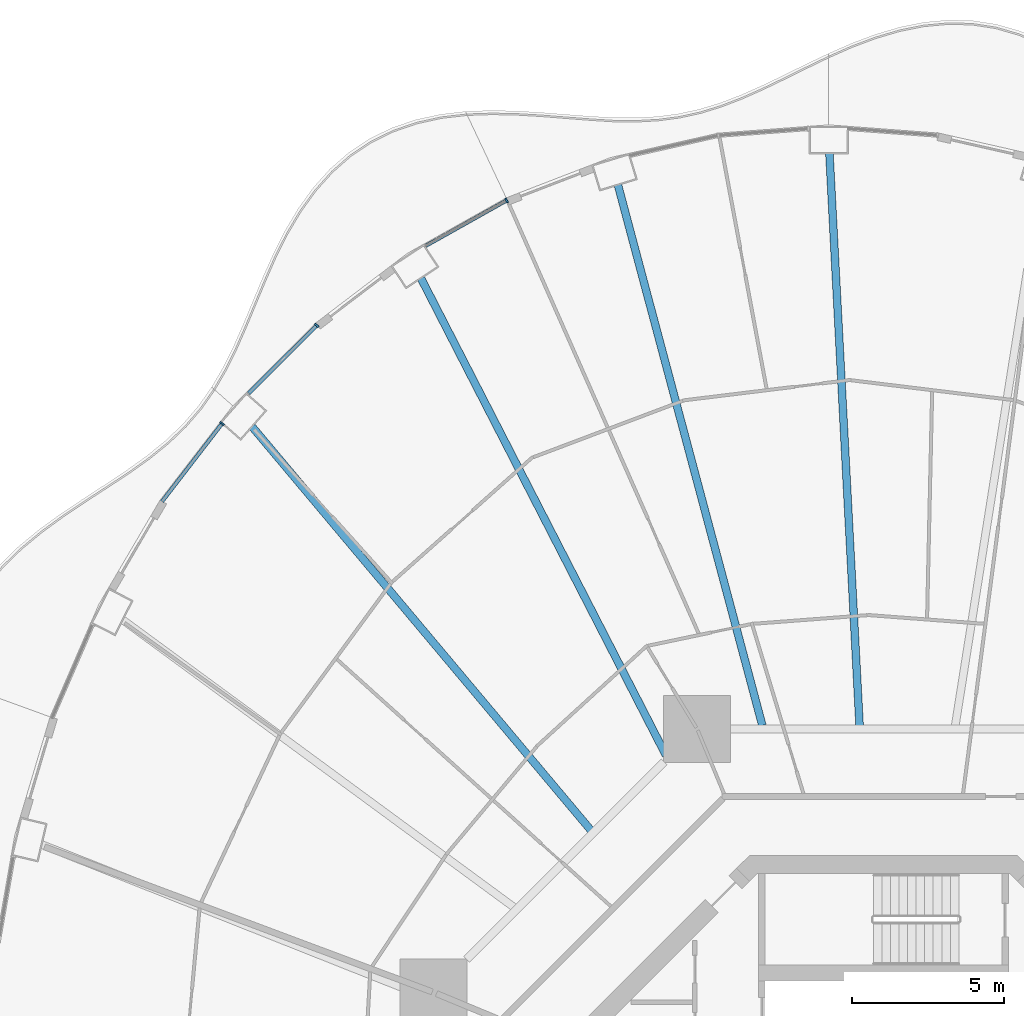
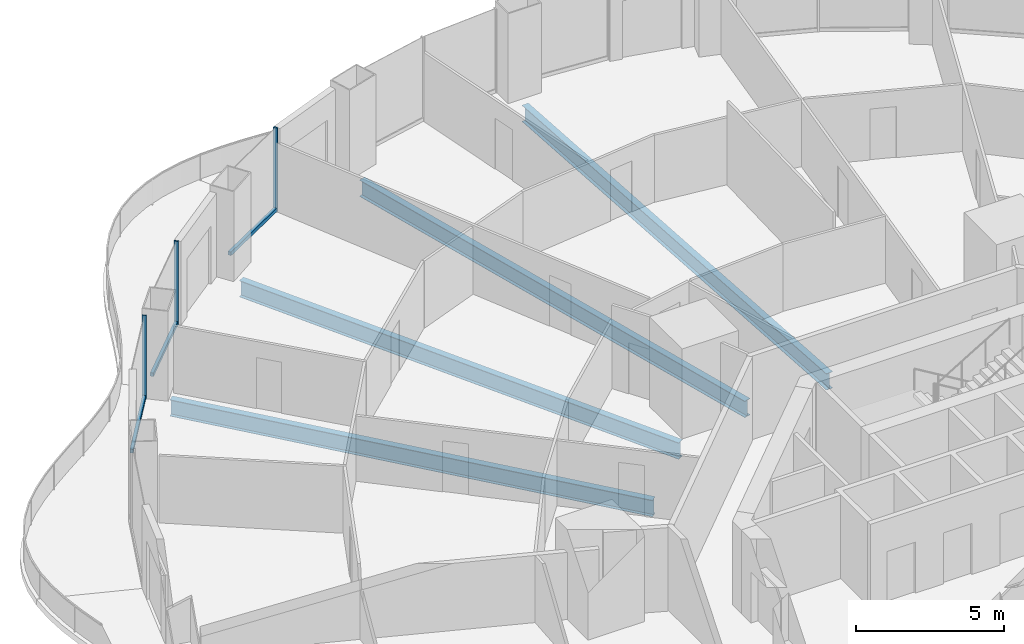
# One storey, part 8 of 22: 6 members, 4 beams, 3 elements without a shape of their own.
"""IFC4 building model written with IfcOpenShell, lengths in metres."""

from ifc_helpers import new_model, si_unit, direction, frame, origin, origin_2d, place, context, subcontext, project, spatial, rectangle, i_section, extrude, material, layer, layer_set, material_profile, profile_set, type_object, element, aggregate, save


model = new_model("IFC4")

# Units and contexts
model_context = context("Model", 3, precision=1e-05, world=origin(), true_north=direction((0.0, 1.0)))
body_context = subcontext(model_context, "Body", "Model", "MODEL_VIEW")
ifc_project = project(units=[si_unit("LENGTHUNIT", "METRE"), si_unit("AREAUNIT", "SQUARE_METRE"), si_unit("VOLUMEUNIT", "CUBIC_METRE"), si_unit("PLANEANGLEUNIT", "RADIAN"), si_unit("MASSUNIT", "GRAM", prefix="KILO")], contexts=[model_context])

# Site, building, storey
site_placement = place(None, origin())
site = spatial("IfcSite", under=ifc_project, at=site_placement, CompositionType="ELEMENT")
building_placement = place(site_placement, origin())
building = spatial("IfcBuilding", under=site, at=building_placement, Name="Nagisa Residences", CompositionType="ELEMENT")
storey_placement = place(building_placement, frame((0.0, 0.0, 73.300048828125)))
storey = spatial("IfcBuildingStorey", under=building, at=storey_placement, Name="L17", CompositionType="ELEMENT", Elevation=73.300048828125)

# Curtain wall, member
ifc_material_1 = material(Name="Concrete-coloured aluminium curtain wall system", Category="concrete")
ifc_layer = layer(ifc_material_1, 0.159912109375)
ifc_layer_set = layer_set([ifc_layer], Name="CW1 CURTAIN WALL")
curtain_wall_type = type_object("IfcCurtainWallType", Name="CW1 CURTAIN WALL", PredefinedType="NOTDEFINED", material=ifc_layer_set)
curtain_wall_1_placement = place(storey_placement, origin())
curtain_wall_1 = element("IfcCurtainWall", 1, at=curtain_wall_1_placement, inside=storey, type_object=curtain_wall_type, Name="cw:CW1:L17:15", PredefinedType="NOTDEFINED")
ifc_material_2 = material(Name="Concrete-coloured aluminium", Category="concrete")
ifc_material_profile_1 = material_profile(ifc_material_2, rectangle(XDim=0.159912109375, YDim=0.06005859375, at=origin_2d()), Name="CW1 MULLION 160x60")
ifc_profile_set_1 = profile_set([ifc_material_profile_1], Name="Concrete-coloured aluminium")
member_type_1 = type_object("IfcMemberType", Name="CW1 MULLION 160x60", PredefinedType="MULLION", material=ifc_profile_set_1)
member_1_placement = place(storey_placement, frame((-12.385498046875, 32.1494140625, 0.0), z_axis=(0.0, 0.0, 1.0), x_axis=(0.489376918501, -0.872072377523, 0.0)))
member_1 = element("IfcMember", 2, at=member_1_placement, type_object=member_type_1, Name="CW1 mullion", PredefinedType="MULLION", context=body_context, shape_type="SweptSolid", body=[
    extrude(rectangle(XDim=0.159912109375, YDim=0.06005859375, at=origin_2d()), origin(), (0.0, 0.0, 1.0), 3.43994140625),
])

curtain_wall_2_placement = place(storey_placement, origin())
curtain_wall_2 = element("IfcCurtainWall", 3, at=curtain_wall_2_placement, inside=storey, type_object=curtain_wall_type, Name="cw:CW1:L17:17", PredefinedType="NOTDEFINED")
member_2_placement = place(storey_placement, frame((-18.624267578125, 28.04248046875, 0.0), z_axis=(0.0, 0.0, 1.0), x_axis=(0.706376885714, -0.707835924016, 0.0)))
member_2 = element("IfcMember", 4, at=member_2_placement, type_object=member_type_1, Name="CW1 mullion", PredefinedType="MULLION", context=body_context, shape_type="SweptSolid", body=[
    extrude(rectangle(XDim=0.159912109375, YDim=0.06005859375, at=origin_2d()), origin(), (0.0, 0.0, 1.0), 3.43994140625),
])

curtain_wall_3_placement = place(storey_placement, origin())
curtain_wall_3 = element("IfcCurtainWall", 5, at=curtain_wall_3_placement, inside=storey, type_object=curtain_wall_type, Name="cw:CW1:L17:18", PredefinedType="NOTDEFINED")
member_3_placement = place(storey_placement, frame((-21.735107421875, 24.814697265625, 0.0), z_axis=(0.0, 0.0, 1.0), x_axis=(0.792070340816, -0.610429828235, 0.0)))
member_3 = element("IfcMember", 6, at=member_3_placement, type_object=member_type_1, Name="CW1 mullion", PredefinedType="MULLION", context=body_context, shape_type="SweptSolid", body=[
    extrude(rectangle(XDim=0.159912109375, YDim=0.06005859375, at=origin_2d()), origin(), (0.0, 0.0, 1.0), 3.43994140625),
])

# Member
ifc_material_3 = material(Name="Concrete-coloured aluminium", Category="concrete")
ifc_material_profile_2 = material_profile(ifc_material_3, rectangle(XDim=0.1201171875, YDim=0.14990234375, at=origin_2d()), Name="CW1 TRANSOM 120x150")
ifc_profile_set_2 = profile_set([ifc_material_profile_2], Name="Concrete-coloured aluminium")
member_type_2 = type_object("IfcMemberType", Name="CW1 TRANSOM 120x150", PredefinedType="USERDEFINED", material=ifc_profile_set_2)
member_4_placement = place(storey_placement, frame((-12.359375, 32.1640625, 0.074951171875), z_axis=(-0.872037280335, -0.489439456631, 0.0), x_axis=(0.489439456631, -0.872037280335, 0.0)))
member_4 = element("IfcMember", 7, at=member_4_placement, type_object=member_type_2, Name="CW1 transom", ObjectType="TRANSOM", PredefinedType="USERDEFINED", context=body_context, shape_type="SweptSolid", body=[
    extrude(rectangle(XDim=0.1201171875, YDim=0.14990234375, at=origin_2d()), origin(), (0.0, 0.0, 1.0), 3.07568359375),
])

aggregate(curtain_wall_1, [member_1, member_4])

member_5_placement = place(storey_placement, frame((-18.60302734375, 28.0634765625, 0.074951171875), z_axis=(-0.707869817944, -0.706342920149, 0.0), x_axis=(0.706342920149, -0.707869817944, 0.0)))
member_5 = element("IfcMember", 8, at=member_5_placement, type_object=member_type_2, Name="CW1 transom", ObjectType="TRANSOM", PredefinedType="USERDEFINED", context=body_context, shape_type="SweptSolid", body=[
    extrude(rectangle(XDim=0.1201171875, YDim=0.14990234375, at=origin_2d()), origin(), (0.0, 0.0, 1.0), 3.19775390625),
])

aggregate(curtain_wall_2, [member_2, member_5])

member_6_placement = place(storey_placement, frame((-21.716796875, 24.83837890625, 0.074951171875), z_axis=(-0.61041202934, -0.792084057684, 0.0), x_axis=(0.792084057684, -0.61041202934, 0.0)))
member_6 = element("IfcMember", 9, at=member_6_placement, type_object=member_type_2, Name="CW1 transom", ObjectType="TRANSOM", PredefinedType="USERDEFINED", context=body_context, shape_type="SweptSolid", body=[
    extrude(rectangle(XDim=0.1201171875, YDim=0.14990234375, at=origin_2d()), origin(), (0.0, 0.0, 1.0), 3.262939453125),
])

aggregate(curtain_wall_3, [member_3, member_6])

# Beams
ifc_material_4 = material(Name="Steel ASTM A572 Gr 50", Category="steel")
ifc_material_profile_3 = material_profile(ifc_material_4, i_section(OverallWidth=0.2529296875, OverallDepth=0.677978515625, WebThickness=0.01171875, FlangeThickness=0.016357421875, at=origin_2d()), Name="W690x125")
ifc_profile_set_3 = profile_set([ifc_material_profile_3], Name="Steel ASTM A572 Gr 50")
beam_type = type_object("IfcBeamType", Name="Radial beam W690x125", PredefinedType="BEAM", material=ifc_profile_set_3)
beam_1_placement = place(storey_placement, frame((-1.77734375, 33.70263671875, -0.59912109375), z_axis=(0.05266700958, -0.998612129959, 0.0), x_axis=(0.998612129959, 0.05266700958, 0.0)))
element("IfcBeam", 10, at=beam_1_placement, inside=storey, type_object=beam_type, Name="beam:L17:rb07", PredefinedType="BEAM", context=body_context, shape_type="SweptSolid", body=[
    extrude(i_section(OverallWidth=0.2529296875, OverallDepth=0.677978515625, WebThickness=0.01171875, FlangeThickness=0.016357421875, at=origin_2d()), origin(), (0.0, 0.0, 1.0), 18.834228515625),
])
beam_2_placement = place(storey_placement, frame((-8.7275390625, 32.66015625, -0.59912109375), z_axis=(0.258170831181, -0.96609928161, 0.0), x_axis=(0.96609928161, 0.258170831181, 0.0)))
element("IfcBeam", 11, at=beam_2_placement, inside=storey, type_object=beam_type, Name="beam:L17:rb08", PredefinedType="BEAM", context=body_context, shape_type="SweptSolid", body=[
    extrude(i_section(OverallWidth=0.2529296875, OverallDepth=0.677978515625, WebThickness=0.01171875, FlangeThickness=0.016357421875, at=origin_2d()), origin(), (0.0, 0.0, 1.0), 18.38818359375),
])
beam_3_placement = place(storey_placement, frame((-15.199951171875, 29.5927734375, -0.59912109375), z_axis=(0.456890609608, -0.889522889448, 0.0), x_axis=(0.889522889448, 0.456890609608, 0.0)))
element("IfcBeam", 12, at=beam_3_placement, inside=storey, type_object=beam_type, Name="beam:L17:rb09", PredefinedType="BEAM", context=body_context, shape_type="SweptSolid", body=[
    extrude(i_section(OverallWidth=0.2529296875, OverallDepth=0.677978515625, WebThickness=0.01171875, FlangeThickness=0.016357421875, at=origin_2d()), origin(), (0.0, 0.0, 1.0), 17.622314453125),
])
beam_4_placement = place(storey_placement, frame((-20.75, 24.71533203125, -0.59912109375), z_axis=(0.642994706096, -0.765870620884, 0.0), x_axis=(0.765870620884, 0.642994706096, 0.0)))
element("IfcBeam", 13, at=beam_4_placement, inside=storey, type_object=beam_type, Name="beam:L17:rb10", PredefinedType="BEAM", context=body_context, shape_type="SweptSolid", body=[
    extrude(i_section(OverallWidth=0.2529296875, OverallDepth=0.677978515625, WebThickness=0.01171875, FlangeThickness=0.016357421875, at=origin_2d()), origin(), (0.0, 0.0, 1.0), 17.319580078125),
])

save(model, "model.ifc")
